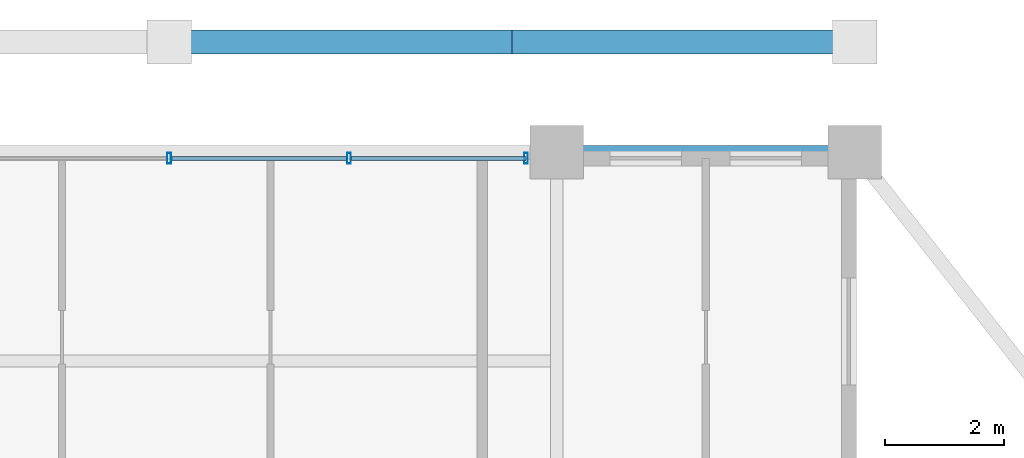
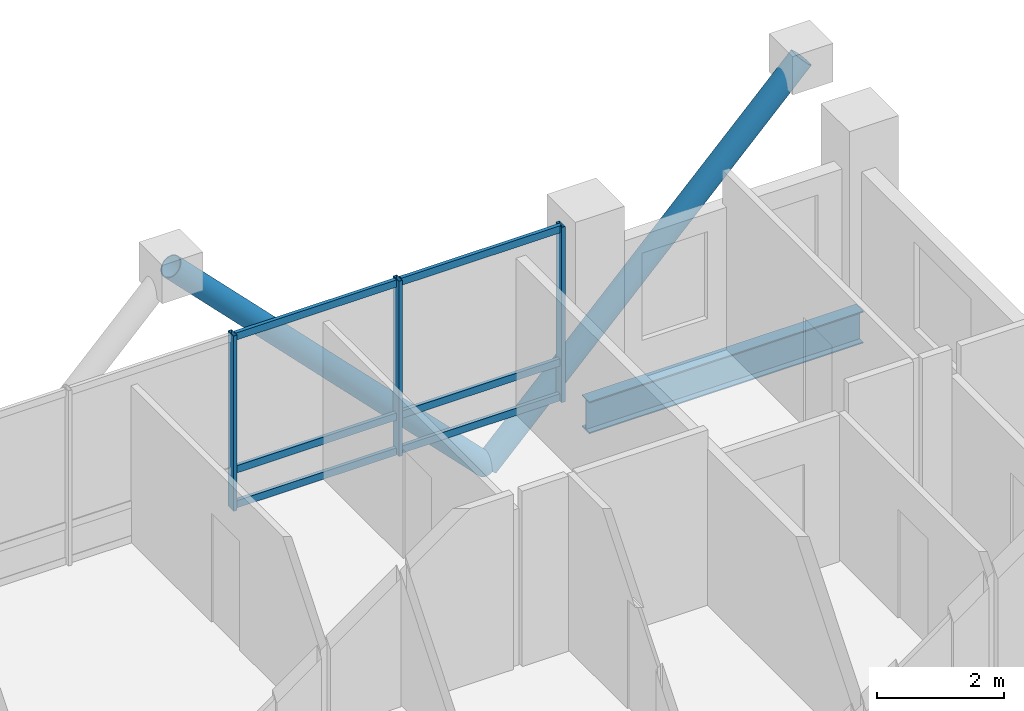
# One storey, part 16 of 24: 11 members, 1 beam, 1 element without a shape of its own.
"""IFC4 building model written with IfcOpenShell, lengths in metres."""

from ifc_helpers import new_model, si_unit, direction, frame, origin, origin_2d, place, context, subcontext, project, spatial, hollow_rectangle, hollow_circle, i_section, extrude, material, layer, layer_set, material_profile, profile_set, type_object, element, aggregate, save


model = new_model("IFC4")

# Units and contexts
model_context = context("Model", 3, precision=1e-05, world=origin(), true_north=direction((0.0, 1.0)))
body_context = subcontext(model_context, "Body", "Model", "MODEL_VIEW")
ifc_project = project(units=[si_unit("LENGTHUNIT", "METRE"), si_unit("AREAUNIT", "SQUARE_METRE"), si_unit("VOLUMEUNIT", "CUBIC_METRE"), si_unit("PLANEANGLEUNIT", "RADIAN"), si_unit("MASSUNIT", "GRAM", prefix="KILO")], contexts=[model_context])

# Site, building, storey
site_placement = place(None, origin())
site = spatial("IfcSite", under=ifc_project, at=site_placement, CompositionType="ELEMENT")
building_placement = place(site_placement, origin())
building = spatial("IfcBuilding", under=site, at=building_placement, Name="Barlavira Tower and Art Museum", CompositionType="ELEMENT")
storey_placement = place(building_placement, frame((0.0, 0.0, 225.89990234375)))
storey = spatial("IfcBuildingStorey", under=building, at=storey_placement, Name="L58", CompositionType="ELEMENT", Elevation=225.89990234375)

# Curtain wall, members
ifc_material_1 = material(Name="Low-iron coastal laminated glass", Category="glass")
ifc_layer = layer(ifc_material_1, 0.2099609375, Name="Low-iron coastal laminated glass")
ifc_layer_set = layer_set([ifc_layer], Name="Low-iron coastal laminated glass")
curtain_wall_type = type_object("IfcCurtainWallType", Name="Pale-Metal Unitised Curtain Wall Zone 4", PredefinedType="NOTDEFINED", material=ifc_layer_set)
curtain_wall_placement = place(storey_placement, origin())
curtain_wall = element("IfcCurtainWall", 1, at=curtain_wall_placement, inside=storey, type_object=curtain_wall_type, Name="L58 Curtain Wall CW4-L58-N-B2", PredefinedType="NOTDEFINED")
ifc_material_2 = material(Name="Pale anodised aluminium", Category="aluminium")
ifc_material_profile_1 = material_profile(ifc_material_2, hollow_rectangle(XDim=0.06494140625, YDim=0.179931640625, WallThickness=0.00390625, at=origin_2d()), Name="ALU-MULL 65x180x4")
ifc_profile_set_1 = profile_set([ifc_material_profile_1], Name="Pale anodised aluminium")
member_type_1 = type_object("IfcMemberType", Name="Curtain Wall Pale-Metal Mullion 65x180", PredefinedType="MULLION", material=ifc_profile_set_1)
member_1_placement = place(storey_placement, frame((5.985107421875, 19.89990234375, 0.0), z_axis=(0.0, 0.0, 1.0), x_axis=(-1.0, 0.0, 0.0)))
member_1 = element("IfcMember", 2, at=member_1_placement, type_object=member_type_1, Name="CW4-L58-N-B2 Mullion 0", PredefinedType="MULLION", context=body_context, shape_type="SweptSolid", body=[
    extrude(hollow_rectangle(XDim=0.06494140625, YDim=0.179931640625, WallThickness=0.00390625, at=origin_2d()), origin(), (0.0, 0.0, 1.0), 3.380126953125),
])
member_2_placement = place(storey_placement, frame((3.014892578125, 19.89990234375, 0.0), z_axis=(0.0, 0.0, 1.0), x_axis=(-1.0, 0.0, 0.0)))
member_2 = element("IfcMember", 3, at=member_2_placement, type_object=member_type_1, Name="CW4-L58-N-B2 Mullion 1", PredefinedType="MULLION", context=body_context, shape_type="SweptSolid", body=[
    extrude(hollow_rectangle(XDim=0.06494140625, YDim=0.179931640625, WallThickness=0.00390625, at=origin_2d()), origin(), (0.0, 0.0, 1.0), 3.380126953125),
])
member_3_placement = place(storey_placement, frame((0.0, 19.89990234375, 0.0), z_axis=(0.0, 0.0, 1.0), x_axis=(-1.0, 0.0, 0.0)))
member_3 = element("IfcMember", 4, at=member_3_placement, type_object=member_type_1, Name="CW4-L58-N-B2 Mullion 2", PredefinedType="MULLION", context=body_context, shape_type="SweptSolid", body=[
    extrude(hollow_rectangle(XDim=0.06494140625, YDim=0.179931640625, WallThickness=0.00390625, at=origin_2d()), origin(), (0.0, 0.0, 1.0), 3.380126953125),
])
ifc_material_profile_2 = material_profile(ifc_material_2, hollow_rectangle(XDim=0.06494140625, YDim=0.139892578125, WallThickness=0.00390625, at=origin_2d()), Name="ALU-TRAN 65x140x4")
ifc_profile_set_2 = profile_set([ifc_material_profile_2], Name="Pale anodised aluminium")
member_type_2 = type_object("IfcMemberType", Name="Curtain Wall Pale-Metal Transom 65x140", PredefinedType="USERDEFINED", material=ifc_profile_set_2)
member_4_placement = place(storey_placement, frame((5.985107421875, 19.89990234375, 0.070068359375), z_axis=(-1.0, 0.0, 0.0), x_axis=(0.0, -1.0, 0.0)))
member_4 = element("IfcMember", 5, at=member_4_placement, type_object=member_type_2, Name="CW4-L58-N-B2 Transom 0.1", ObjectType="TRANSOM", PredefinedType="USERDEFINED", context=body_context, shape_type="SweptSolid", body=[
    extrude(hollow_rectangle(XDim=0.06494140625, YDim=0.139892578125, WallThickness=0.00390625, at=origin_2d()), origin(), (0.0, 0.0, 1.0), 2.925048828125),
])
member_5_placement = place(storey_placement, frame((5.985107421875, 19.89990234375, 0.744140625), z_axis=(-1.0, 0.0, 0.0), x_axis=(0.0, -1.0, 0.0)))
member_5 = element("IfcMember", 6, at=member_5_placement, type_object=member_type_2, Name="CW4-L58-N-B2 Transom 0.2", ObjectType="TRANSOM", PredefinedType="USERDEFINED", context=body_context, shape_type="SweptSolid", body=[
    extrude(hollow_rectangle(XDim=0.06494140625, YDim=0.139892578125, WallThickness=0.00390625, at=origin_2d()), origin(), (0.0, 0.0, 1.0), 2.925048828125),
])
member_6_placement = place(storey_placement, frame((5.985107421875, 19.89990234375, 3.31005859375), z_axis=(-1.0, 0.0, 0.0), x_axis=(0.0, -1.0, 0.0)))
member_6 = element("IfcMember", 7, at=member_6_placement, type_object=member_type_2, Name="CW4-L58-N-B2 Transom 0.3", ObjectType="TRANSOM", PredefinedType="USERDEFINED", context=body_context, shape_type="SweptSolid", body=[
    extrude(hollow_rectangle(XDim=0.06494140625, YDim=0.139892578125, WallThickness=0.00390625, at=origin_2d()), origin(), (0.0, 0.0, 1.0), 2.925048828125),
])
member_7_placement = place(storey_placement, frame((2.969970703125, 19.89990234375, 0.070068359375), z_axis=(-1.0, 0.0, 0.0), x_axis=(0.0, -1.0, 0.0)))
member_7 = element("IfcMember", 8, at=member_7_placement, type_object=member_type_2, Name="CW4-L58-N-B2 Transom 1.1", ObjectType="TRANSOM", PredefinedType="USERDEFINED", context=body_context, shape_type="SweptSolid", body=[
    extrude(hollow_rectangle(XDim=0.06494140625, YDim=0.139892578125, WallThickness=0.00390625, at=origin_2d()), origin(), (0.0, 0.0, 1.0), 2.925048828125),
])
member_8_placement = place(storey_placement, frame((2.969970703125, 19.89990234375, 0.744140625), z_axis=(-1.0, 0.0, 0.0), x_axis=(0.0, -1.0, 0.0)))
member_8 = element("IfcMember", 9, at=member_8_placement, type_object=member_type_2, Name="CW4-L58-N-B2 Transom 1.2", ObjectType="TRANSOM", PredefinedType="USERDEFINED", context=body_context, shape_type="SweptSolid", body=[
    extrude(hollow_rectangle(XDim=0.06494140625, YDim=0.139892578125, WallThickness=0.00390625, at=origin_2d()), origin(), (0.0, 0.0, 1.0), 2.925048828125),
])
member_9_placement = place(storey_placement, frame((2.969970703125, 19.89990234375, 3.31005859375), z_axis=(-1.0, 0.0, 0.0), x_axis=(0.0, -1.0, 0.0)))
member_9 = element("IfcMember", 10, at=member_9_placement, type_object=member_type_2, Name="CW4-L58-N-B2 Transom 1.3", ObjectType="TRANSOM", PredefinedType="USERDEFINED", context=body_context, shape_type="SweptSolid", body=[
    extrude(hollow_rectangle(XDim=0.06494140625, YDim=0.139892578125, WallThickness=0.00390625, at=origin_2d()), origin(), (0.0, 0.0, 1.0), 2.925048828125),
])
aggregate(curtain_wall, [member_1, member_2, member_3, member_4, member_5, member_6, member_7, member_8, member_9])

# Members
ifc_material_3 = material(Name="Steel S355", Category="steel")
ifc_material_profile_3 = material_profile(ifc_material_3, hollow_circle(Radius=0.203125, WallThickness=0.01611328125, at=origin_2d()), Name="CHS 406.4x16.0")
ifc_profile_set_3 = profile_set([ifc_material_profile_3], Name="Steel S355")
member_type_3 = type_object("IfcMemberType", Name="Pale-Metal Exoskeleton Diagrid Tube CHS 406x16 Steel S355", PredefinedType="BRACE", material=ifc_profile_set_3)
for number, where, z_axis, x_axis, name in (
    (11, (5.75, 21.85009765625, -2.369873046875), (-0.700993913973, 0.0, 0.713167254276), (0.0, -1.0, 0.0), "L58 Exoskeleton Diagrid Tube N"),
    (12, (5.75, 21.85009765625, -2.369873046875), (0.700993913973, 0.0, 0.713167254276), (0.0, 1.0, 0.0), "L58 Exoskeleton Diagrid Tube N"),
):
    element("IfcMember", number, at=place(storey_placement, frame(where, z_axis=z_axis, x_axis=x_axis)), inside=storey, type_object=member_type_3, Name=name, PredefinedType="BRACE", context=body_context, shape_type="SweptSolid", body=[
        extrude(hollow_circle(Radius=0.203125, WallThickness=0.01611328125, at=origin_2d()), origin(), (0.0, 0.0, 1.0), 8.20263671875),
    ])

# Beam
ifc_material_profile_4 = material_profile(ifc_material_3, i_section(OverallWidth=0.22998046875, OverallDepth=0.616943359375, WebThickness=0.01318359375, FlangeThickness=0.022216796875, at=origin_2d()), Name="W610x140.0")
ifc_profile_set_4 = profile_set([ifc_material_profile_4], Name="Steel S355")
beam_type = type_object("IfcBeamType", Name="Upper Shaft Spandrel Edge Beam W610x140 Steel S355", PredefinedType="SPANDREL", material=ifc_profile_set_4)
beam_placement = place(storey_placement, frame((6.5, 20.0, -0.5283203125), z_axis=(1.0, 0.0, 0.0), x_axis=(0.0, 1.0, 0.0)))
element("IfcBeam", 13, at=beam_placement, inside=storey, type_object=beam_type, Name="L58 Spandrel 9", PredefinedType="SPANDREL", context=body_context, shape_type="SweptSolid", body=[
    extrude(i_section(OverallWidth=0.22998046875, OverallDepth=0.616943359375, WebThickness=0.01318359375, FlangeThickness=0.022216796875, at=origin_2d()), origin(), (0.0, 0.0, 1.0), 5.0),
])

save(model, "model.ifc")
